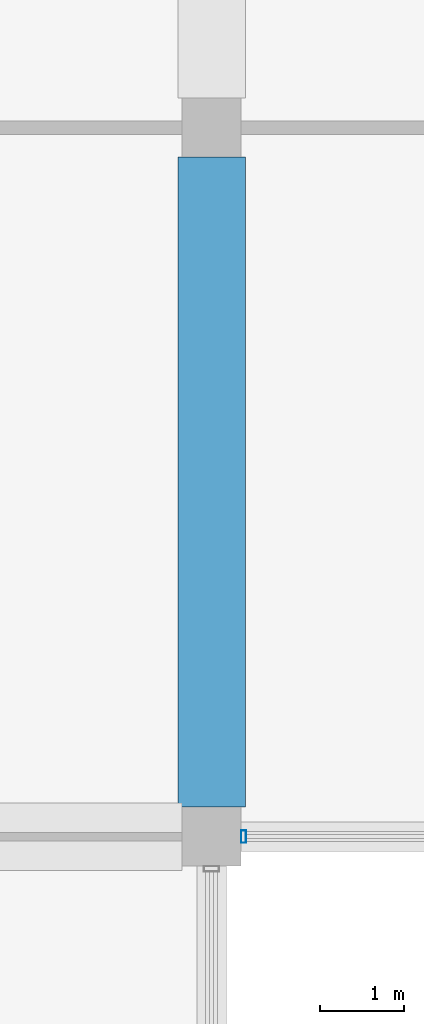
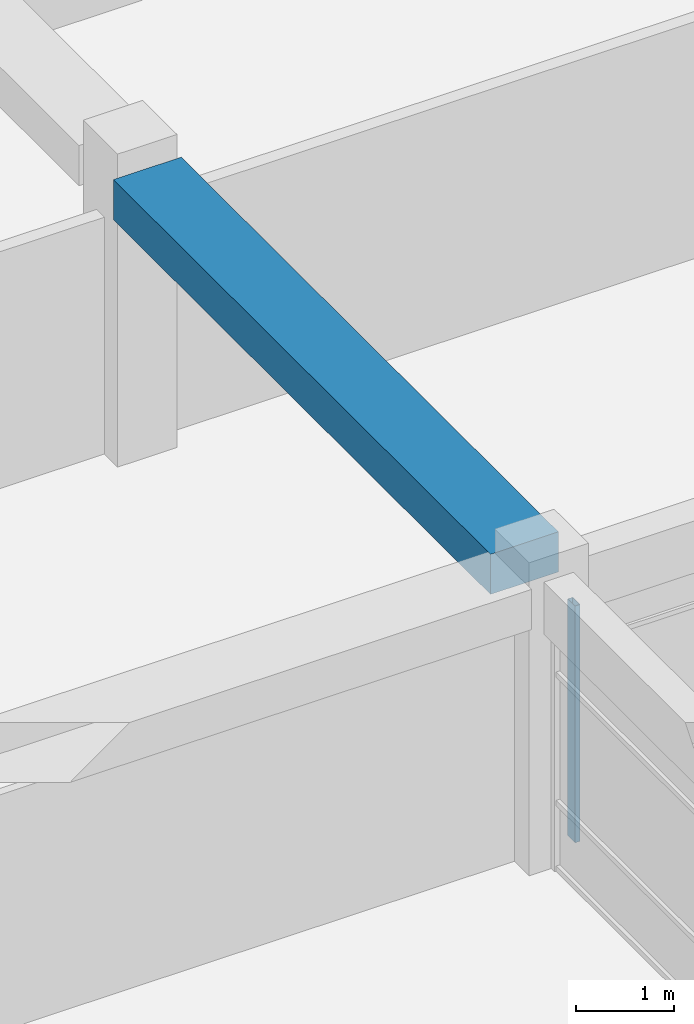
# One storey, part 24 of 72: 1 beam, 1 member, 1 element without a shape of its own.
"""IFC4 building model written with IfcOpenShell, lengths in metres."""

import ifcopenshell
import ifcopenshell.guid

model = None  # the IFC model being written
_history = None  # IfcOwnerHistory: only IFC2X3 demands one
_inside = {}  # id of a spatial element -> (the spatial element, [elements in it])
_under = {}  # id of a project, library or spatial element -> (it, [spatial elements below it])
_declared = {}  # id of a project -> (the project, [libraries it declares])
_typed = {}  # id of a type object -> (the type object, [elements of that type])
_made_of = {}  # id of a material, layer set ... -> (it, [elements and type objects made of it])


def new_model(schema):
    """Start an empty IFC model of exactly this schema.

    Asked for "IFC4X3", IfcOpenShell would pick the latest addendum, in which some entities
    have other attributes; the version numbers below select the first issue.
    IFC2X3 requires an IfcOwnerHistory on every rooted entity: one is made here for all.
    """
    global model, _history
    if schema == "IFC4X3":
        model = ifcopenshell.file(schema_version=(4, 3, 0, 0))
    else:
        model = ifcopenshell.file(schema=schema)
    _inside.clear()
    _under.clear()
    _declared.clear()
    _typed.clear()
    _made_of.clear()
    _history = None
    if model.schema == "IFC2X3":
        org = make("IfcOrganization", Name="unknown")
        user = make(
            "IfcPersonAndOrganization",
            ThePerson=make("IfcPerson", FamilyName="unknown"),
            TheOrganization=org,
        )
        app = make(
            "IfcApplication",
            ApplicationDeveloper=org,
            Version="unknown",
            ApplicationFullName="unknown",
            ApplicationIdentifier="unknown",
        )
        _history = make(
            "IfcOwnerHistory",
            OwningUser=user,
            OwningApplication=app,
            ChangeAction="ADDED",
            CreationDate=0,
        )
    return model


def make(cls, **values):
    """One entity of the class cls with the attributes given. An attribute that is None is left unset."""
    return model.create_entity(
        cls, **{name: value for name, value in values.items() if value is not None}
    )


def rooted(cls, **values):
    """An entity with a GlobalId (a new one), such as an element, a storey or a relation."""
    return make(cls, GlobalId=ifcopenshell.guid.new(), OwnerHistory=_history, **values)


def si_unit(unit_type, name, prefix=None):
    """IfcSIUnit, for example si_unit("LENGTHUNIT", "METRE", prefix="MILLI")."""
    return make("IfcSIUnit", UnitType=unit_type, Prefix=prefix, Name=name)


def assignment(units):
    """IfcUnitAssignment: the units of a project."""
    return None if units is None else make("IfcUnitAssignment", Units=units)


def point(xyz):
    """IfcCartesianPoint."""
    return None if xyz is None else make("IfcCartesianPoint", Coordinates=xyz)


def direction(xyz):
    """IfcDirection."""
    return None if xyz is None else make("IfcDirection", DirectionRatios=xyz)


def frame(location, z_axis=None, x_axis=None):
    """IfcAxis2Placement3D, a coordinate frame: its origin and axes. An axis left out is left unset."""
    return make(
        "IfcAxis2Placement3D",
        Location=point(location),
        Axis=direction(z_axis),
        RefDirection=direction(x_axis),
    )


def frame_2d(location, x_axis=None):
    """IfcAxis2Placement2D, a coordinate frame in the plane: its origin and x axis."""
    return make(
        "IfcAxis2Placement2D", Location=point(location), RefDirection=direction(x_axis)
    )


def origin():
    """The frame at (0, 0, 0) with its axes left unset."""
    return frame((0.0, 0.0, 0.0))


def origin_2d():
    """The frame at (0, 0) in the plane with its x axis left unset."""
    return frame_2d((0.0, 0.0))


def place(relative_to, where):
    """IfcLocalPlacement: puts the frame where relative to a parent placement (None: the world)."""
    return make(
        "IfcLocalPlacement", PlacementRelTo=relative_to, RelativePlacement=where
    )


def context(
    kind, dimensions, precision=None, world=None, true_north=None, identifier=None
):
    """IfcGeometricRepresentationContext, for example the 3D "Model" context."""
    return make(
        "IfcGeometricRepresentationContext",
        ContextIdentifier=identifier,
        ContextType=kind,
        CoordinateSpaceDimension=dimensions,
        Precision=precision,
        WorldCoordinateSystem=world,
        TrueNorth=true_north,
    )


def subcontext(parent, identifier, kind, view, scale=None):
    """IfcGeometricRepresentationSubContext, for example "Body" below "Model"."""
    return make(
        "IfcGeometricRepresentationSubContext",
        ContextIdentifier=identifier,
        ContextType=kind,
        ParentContext=parent,
        TargetScale=scale,
        TargetView=view,
    )


def project(units=None, contexts=None):
    """IfcProject with its units and contexts."""
    return rooted(
        "IfcProject",
        Name="project",
        RepresentationContexts=contexts,
        UnitsInContext=assignment(units),
    )


def spatial(cls, under=None, at=None, **own):
    """A site, building, storey or space (cls), placed at a placement, below another one or the project."""
    s = rooted(cls, ObjectPlacement=at, **own)
    if under is not None:
        _under.setdefault(under.id(), (under, []))[1].append(s)
    return s


def profile(cls, at=None, kind="AREA", **sizes):
    """A parametric profile (cls). Its sizes go by their IFC names, for example OverallWidth=200.0."""
    return make(cls, ProfileType=kind, Position=at, **sizes)


def rectangle(**sizes):
    """IfcRectangleProfileDef."""
    return profile("IfcRectangleProfileDef", **sizes)


def hollow_rectangle(**sizes):
    """IfcRectangleHollowProfileDef."""
    return profile("IfcRectangleHollowProfileDef", **sizes)


def extrude(swept, where, along, depth):
    """IfcExtrudedAreaSolid: the profile swept, set in the frame where, extruded along a direction by depth."""
    return make(
        "IfcExtrudedAreaSolid",
        SweptArea=swept,
        Position=where,
        ExtrudedDirection=direction(along),
        Depth=depth,
    )


def shape(context_of_items, identifier, shape_type, items):
    """IfcShapeRepresentation: the items that make up one representation, for example the "Body"."""
    return make(
        "IfcShapeRepresentation",
        ContextOfItems=context_of_items,
        RepresentationIdentifier=identifier,
        RepresentationType=shape_type,
        Items=items,
    )


def material(Name=None, Category=None):
    """IfcMaterial."""
    return make("IfcMaterial", Name=Name, Category=Category)


def material_profile(
    of_material, cross_section, Name=None, Category=None, Priority=None
):
    """IfcMaterialProfile: a cross section and its material."""
    return make(
        "IfcMaterialProfile",
        Name=Name,
        Material=of_material,
        Profile=cross_section,
        Priority=Priority,
        Category=Category,
    )


def profile_set(profiles, Name=None, composite=None):
    """IfcMaterialProfileSet."""
    return make(
        "IfcMaterialProfileSet",
        Name=Name,
        MaterialProfiles=profiles,
        CompositeProfile=composite,
    )


def made_of(thing, what):
    """Note that an element or type object is made of a material, layer set ...; save() writes the relation."""
    if what is not None:
        _made_of.setdefault(what.id(), (what, []))[1].append(thing)
    return thing


def type_object(cls, material=None, **own):
    """A type object (cls), such as IfcWallType, which elements share."""
    return made_of(rooted(cls, **own), material)


def element(
    cls,
    number,
    at=None,
    inside=None,
    cuts=None,
    type_object=None,
    material=None,
    context=None,
    identifier="Body",
    shape_type=None,
    held_by="IfcProductDefinitionShape",
    body=None,
    shapes=None,
    **own,
):
    """One element of the class cls, such as IfcWall. Its Tag is "e" and its number.

    at: its placement. inside: the storey or other place that contains it. cuts: it is an
    opening in that element (IfcRelVoidsElement). A single representation is given by context,
    identifier, shape_type and body (its items); several are given by shapes. held_by: the class
    of the entity that holds the representations. save() writes the other relations.
    """
    e = rooted(cls, Tag="e%d" % number, ObjectPlacement=at, **own)
    if body is not None:
        shapes = [shape(context, identifier, shape_type, body)]
    if shapes is not None:
        e.Representation = make(held_by, Representations=shapes)
    if inside is not None:
        _inside.setdefault(inside.id(), (inside, []))[1].append(e)
    if cuts is not None:
        rooted(
            "IfcRelVoidsElement", RelatingBuildingElement=cuts, RelatedOpeningElement=e
        )
    if type_object is not None:
        _typed.setdefault(type_object.id(), (type_object, []))[1].append(e)
    return made_of(e, material)


def aggregate(whole, parts):
    """IfcRelAggregates: a whole, such as a stair, and the parts it consists of."""
    return rooted("IfcRelAggregates", RelatingObject=whole, RelatedObjects=parts)


def save(model, path):
    """Write the relations noted so far, then the file.

    IfcRelAggregates (storeys below a building ...), IfcRelContainedInSpatialStructure (elements
    in a storey), IfcRelDefinesByType, IfcRelAssociatesMaterial and IfcRelDeclares: one each for
    every whole, place, type object, material and project.
    """
    for whole, parts in _under.values():
        aggregate(whole, parts)
    for where, things in _inside.values():
        rooted(
            "IfcRelContainedInSpatialStructure",
            RelatedElements=things,
            RelatingStructure=where,
        )
    for kind, things in _typed.values():
        rooted("IfcRelDefinesByType", RelatedObjects=things, RelatingType=kind)
    for what, things in _made_of.values():
        rooted("IfcRelAssociatesMaterial", RelatedObjects=things, RelatingMaterial=what)
    for by, libraries in _declared.values():
        rooted("IfcRelDeclares", RelatingContext=by, RelatedDefinitions=libraries)
    model.write(path)


model = new_model("IFC4")

# Units and contexts
model_context = context("Model", 3, precision=1e-05, world=origin(), true_north=direction((0.0, 1.0)))
body_context = subcontext(model_context, "Body", "Model", "MODEL_VIEW")
ifc_project = project(units=[si_unit("LENGTHUNIT", "METRE"), si_unit("AREAUNIT", "SQUARE_METRE"), si_unit("VOLUMEUNIT", "CUBIC_METRE"), si_unit("PLANEANGLEUNIT", "RADIAN"), si_unit("MASSUNIT", "GRAM", prefix="KILO"), si_unit("THERMODYNAMICTEMPERATUREUNIT", "KELVIN"), si_unit("POWERUNIT", "WATT")], contexts=[model_context])

# Site, building, storey
site_placement = place(None, origin())
site = spatial("IfcSite", under=ifc_project, at=site_placement, CompositionType="ELEMENT")
building_placement = place(site_placement, origin())
building = spatial("IfcBuilding", under=site, at=building_placement, Name="Srebrne Nadtorze General Hospital", CompositionType="ELEMENT")
storey_placement = place(building_placement, frame((0.0, 0.0, 22.199951171875)))
storey = spatial("IfcBuildingStorey", under=building, at=storey_placement, Name="L05", CompositionType="ELEMENT", Elevation=22.199951171875)

# Curtain wall, member
ifc_material_1 = material(Name="Anodised Aluminium", Category="aluminium")
curtain_wall_type = type_object("IfcCurtainWallType", Name="Unitised curtain wall 7100x2950", PredefinedType="NOTDEFINED", material=ifc_material_1)
curtain_wall_placement = place(storey_placement, origin())
curtain_wall = element("IfcCurtainWall", 1, at=curtain_wall_placement, inside=storey, type_object=curtain_wall_type, Name="Curtain wall CW-116", PredefinedType="NOTDEFINED")
ifc_material_2 = material(Name="Anodised Aluminium", Category="aluminium")
ifc_material_profile_1 = material_profile(ifc_material_2, hollow_rectangle(XDim=0.06005859375, YDim=0.14990234375, WallThickness=0.00390625, at=origin_2d()), Name="AL-MUL-60x150")
ifc_profile_set_1 = profile_set([ifc_material_profile_1], Name="Anodised Aluminium")
member_type = type_object("IfcMemberType", Name="Curtain mullion 60x150", PredefinedType="MULLION", material=ifc_profile_set_1)
member_placement = place(storey_placement, frame((117.3798828125, 25.199951171875, 0.0), z_axis=(0.0, 0.0, 1.0), x_axis=(1.0, 0.0, 0.0)))
member = element("IfcMember", 2, at=member_placement, type_object=member_type, Name="CW-116 mullion 1", PredefinedType="MULLION", context=body_context, shape_type="SweptSolid", body=[
    extrude(hollow_rectangle(XDim=0.06005859375, YDim=0.14990234375, WallThickness=0.00390625, at=origin_2d()), origin(), (0.0, 0.0, 1.0), 2.949951171875),
])
aggregate(curtain_wall, [member])

# Beam
ifc_material_3 = material(Name="Concrete C40/50", Category="concrete")
ifc_material_profile_2 = material_profile(ifc_material_3, rectangle(XDim=0.800048828125, YDim=0.5, at=origin_2d()), Name="RC-BM-800x500")
ifc_profile_set_2 = profile_set([ifc_material_profile_2], Name="Concrete C40/50")
beam_type = type_object("IfcBeamType", Name="Primary beam RC 800x500", PredefinedType="BEAM", material=ifc_profile_set_2)
beam_placement = place(storey_placement, frame((117.0, 25.550048828125, 3.35009765625), z_axis=(0.0, 1.0, 0.0), x_axis=(-1.0, 0.0, 0.0)))
element("IfcBeam", 3, at=beam_placement, inside=storey, type_object=beam_type, Name="Beam BM-L05-Y-1106", PredefinedType="BEAM", context=body_context, shape_type="SweptSolid", body=[
    extrude(rectangle(XDim=0.800048828125, YDim=0.5, at=origin_2d()), origin(), (0.0, 0.0, 1.0), 7.699951171875),
])

save(model, "model.ifc")
